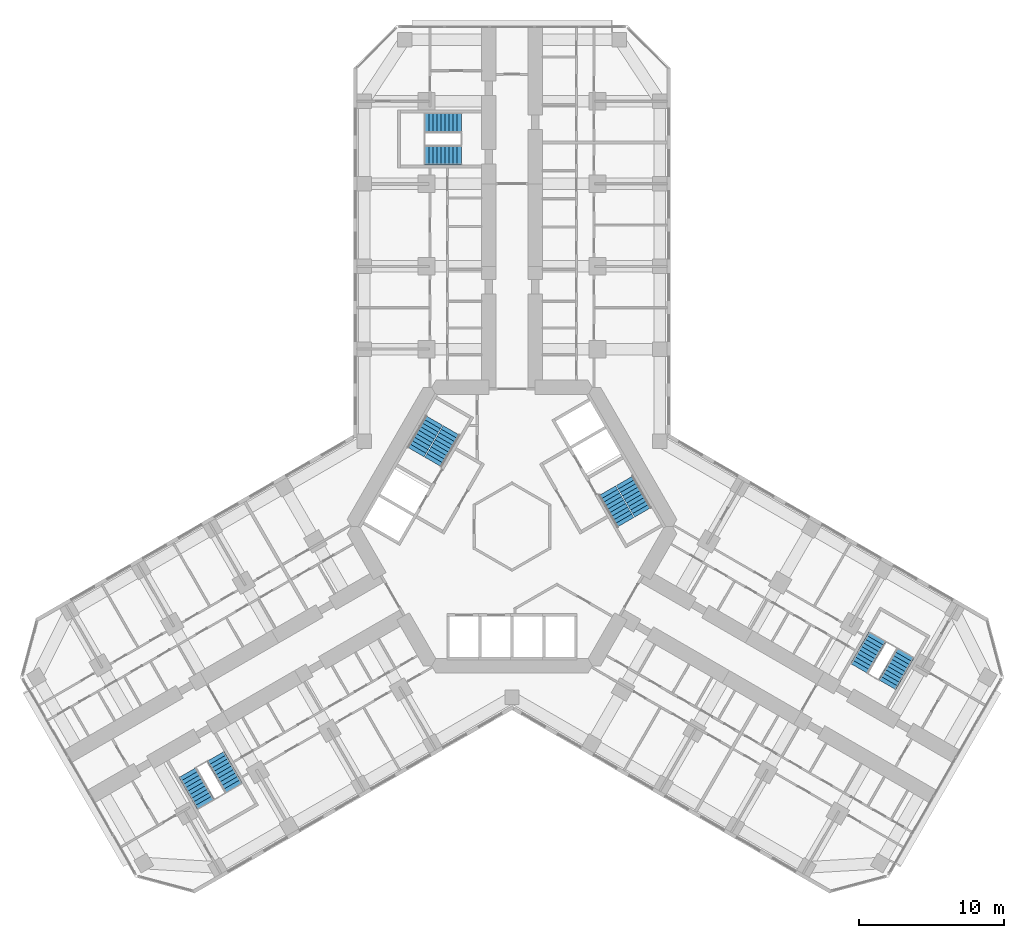
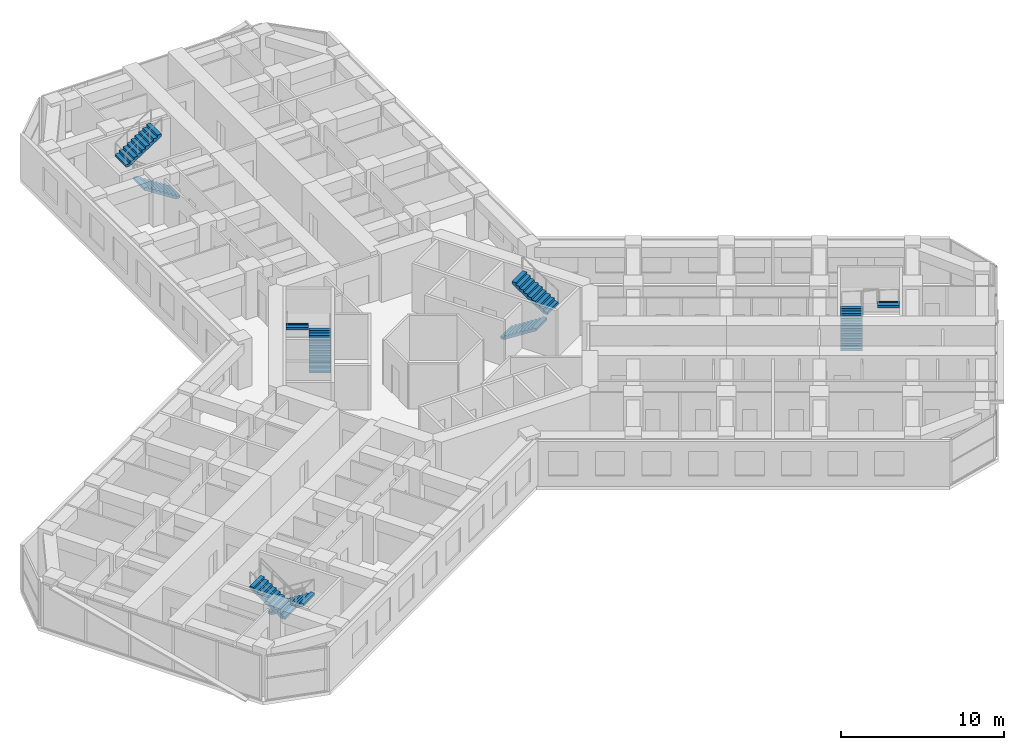
# One storey, part 20 of 21: 10 stair flights, 5 elements without a shape of their own.
"""IFC4 building model written with IfcOpenShell, lengths in metres."""

from ifc_helpers import new_model, si_unit, direction, frame, origin, place, context, subcontext, project, spatial, polyline, outline, extrude, material, type_object, element, aggregate, save


model = new_model("IFC4")

# Units and contexts
model_context = context("Model", 3, precision=1e-05, world=origin(), true_north=direction((0.0, 1.0)))
body_context = subcontext(model_context, "Body", "Model", "MODEL_VIEW")
ifc_project = project(units=[si_unit("LENGTHUNIT", "METRE"), si_unit("AREAUNIT", "SQUARE_METRE"), si_unit("VOLUMEUNIT", "CUBIC_METRE"), si_unit("PLANEANGLEUNIT", "RADIAN"), si_unit("MASSUNIT", "GRAM", prefix="KILO")], contexts=[model_context])

# Site, building, storey
site_placement = place(None, origin())
site = spatial("IfcSite", under=ifc_project, at=site_placement, CompositionType="ELEMENT")
building_placement = place(site_placement, origin())
building = spatial("IfcBuilding", under=site, at=building_placement, Name="Kosmar Iwan School Tower", CompositionType="ELEMENT")
storey_placement = place(building_placement, frame((0.0, 0.0, 50.199951171875)))
storey = spatial("IfcBuildingStorey", under=building, at=storey_placement, Name="L11", CompositionType="ELEMENT", Elevation=50.199951171875)

# Stair, stair flights
ifc_material_1 = material(Name="Concrete C35/45", Category="concrete")
stair_type_1 = type_object("IfcStairType", Name="Escape stair 3600", PredefinedType="HALF_TURN_STAIR", material=ifc_material_1)
stair_1_placement = place(storey_placement, origin())
stair_1 = element("IfcStair", 1, at=stair_1_placement, inside=storey, type_object=stair_type_1, Name="Stair WS1 L11", PredefinedType="HALF_TURN_STAIR")
ifc_material_2 = material(Name="Concrete C35/45", Category="concrete")
stair_flight_type_1 = type_object("IfcStairFlightType", Name="Escape stair flight 1350", PredefinedType="STRAIGHT", material=ifc_material_2)
stair_flight_1_placement = place(storey_placement, frame((-3.5, 25.625, 0.0), z_axis=(0.0, 0.0, 1.0), x_axis=(-1.0, 0.0, 0.0)))
stair_flight_1 = element("IfcStairFlight", 2, at=stair_flight_1_placement, type_object=stair_flight_type_1, Name="WS1 flight 1", NumberOfRisers=10, NumberOfTreads=9, PredefinedType="STRAIGHT", RiserHeight=0.18, TreadLength=0.28, context=body_context, shape_type="SweptSolid", body=[
    extrude(outline(polyline([(0.0, 0.0), (0.0, 0.179931640625), (0.280029296875, 0.179931640625), (0.280029296875, 0.360107421875), (0.56005859375, 0.360107421875), (0.56005859375, 0.5400390625), (0.840087890625, 0.5400390625), (0.840087890625, 0.719970703125), (1.1201171875, 0.719970703125), (1.1201171875, 0.89990234375), (1.39990234375, 0.89990234375), (1.39990234375, 1.080078125), (1.679931640625, 1.080078125), (1.679931640625, 1.260009765625), (1.9599609375, 1.260009765625), (1.9599609375, 1.43994140625), (2.239990234375, 1.43994140625), (2.239990234375, 1.6201171875), (2.52001953125, 1.6201171875), (2.52001953125, 1.800048828125), (2.52001953125, 1.44189453125), (0.277099609375, 0.0), (0.0, 0.0)])), frame((0.0, 0.675048828125, 0.0), z_axis=(0.0, -1.0, 0.0), x_axis=(1.0, 0.0, 0.0)), (0.0, 0.0, 1.0), 1.35009765625),
])
stair_flight_2_placement = place(storey_placement, frame((-6.02001953125, 27.875, 1.800048828125), z_axis=(0.0, 0.0, 1.0), x_axis=(1.0, 0.0, 0.0)))
stair_flight_2 = element("IfcStairFlight", 3, at=stair_flight_2_placement, type_object=stair_flight_type_1, Name="WS1 flight 2", NumberOfRisers=10, NumberOfTreads=9, PredefinedType="STRAIGHT", RiserHeight=0.18, TreadLength=0.28, context=body_context, shape_type="SweptSolid", body=[
    extrude(outline(polyline([(0.0, 0.0), (0.0, 0.179931640625), (0.280029296875, 0.179931640625), (0.280029296875, 0.360107421875), (0.56005859375, 0.360107421875), (0.56005859375, 0.5400390625), (0.840087890625, 0.5400390625), (0.840087890625, 0.719970703125), (1.1201171875, 0.719970703125), (1.1201171875, 0.89990234375), (1.39990234375, 0.89990234375), (1.39990234375, 1.080078125), (1.679931640625, 1.080078125), (1.679931640625, 1.260009765625), (1.9599609375, 1.260009765625), (1.9599609375, 1.43994140625), (2.239990234375, 1.43994140625), (2.239990234375, 1.6201171875), (2.52001953125, 1.6201171875), (2.52001953125, 1.800048828125), (2.52001953125, 1.44189453125), (0.277099609375, 0.0), (0.0, 0.0)])), frame((0.0, 0.675048828125, 0.0), z_axis=(0.0, -1.0, 0.0), x_axis=(1.0, 0.0, 0.0)), (0.0, 0.0, 1.0), 1.35009765625),
])
aggregate(stair_1, [stair_flight_1, stair_flight_2])

stair_2_placement = place(storey_placement, origin())
stair_2 = element("IfcStair", 4, at=stair_2_placement, inside=storey, type_object=stair_type_1, Name="Stair WS2 L11", PredefinedType="HALF_TURN_STAIR")
stair_flight_3_placement = place(storey_placement, frame((-20.44189453125, -15.843505859375, 0.0), z_axis=(0.0, 0.0, 1.0), x_axis=(0.5, -0.866025403784, 0.0)))
stair_flight_3 = element("IfcStairFlight", 5, at=stair_flight_3_placement, type_object=stair_flight_type_1, Name="WS2 flight 1", NumberOfRisers=10, NumberOfTreads=9, PredefinedType="STRAIGHT", RiserHeight=0.18, TreadLength=0.28, context=body_context, shape_type="SweptSolid", body=[
    extrude(outline(polyline([(0.0, 0.0), (0.0, 0.179931640625), (0.280029296875, 0.179931640625), (0.280029296875, 0.360107421875), (0.56005859375, 0.360107421875), (0.56005859375, 0.5400390625), (0.840087890625, 0.5400390625), (0.840087890625, 0.719970703125), (1.1201171875, 0.719970703125), (1.1201171875, 0.89990234375), (1.39990234375, 0.89990234375), (1.39990234375, 1.080078125), (1.679931640625, 1.080078125), (1.679931640625, 1.260009765625), (1.9599609375, 1.260009765625), (1.9599609375, 1.43994140625), (2.239990234375, 1.43994140625), (2.239990234375, 1.6201171875), (2.52001953125, 1.6201171875), (2.52001953125, 1.800048828125), (2.52001953125, 1.44189453125), (0.277099609375, 0.0), (0.0, 0.0)])), frame((0.0, 0.675048828125, 0.0), z_axis=(0.0, -1.0, 0.0), x_axis=(1.0, 0.0, 0.0)), (0.0, 0.0, 1.0), 1.35009765625),
])
stair_flight_4_placement = place(storey_placement, frame((-21.13037109375, -19.15087890625, 1.800048828125), z_axis=(0.0, 0.0, 1.0), x_axis=(-0.5, 0.866025403784, 0.0)))
stair_flight_4 = element("IfcStairFlight", 6, at=stair_flight_4_placement, type_object=stair_flight_type_1, Name="WS2 flight 2", NumberOfRisers=10, NumberOfTreads=9, PredefinedType="STRAIGHT", RiserHeight=0.18, TreadLength=0.28, context=body_context, shape_type="SweptSolid", body=[
    extrude(outline(polyline([(0.0, 0.0), (0.0, 0.179931640625), (0.280029296875, 0.179931640625), (0.280029296875, 0.360107421875), (0.56005859375, 0.360107421875), (0.56005859375, 0.5400390625), (0.840087890625, 0.5400390625), (0.840087890625, 0.719970703125), (1.1201171875, 0.719970703125), (1.1201171875, 0.89990234375), (1.39990234375, 0.89990234375), (1.39990234375, 1.080078125), (1.679931640625, 1.080078125), (1.679931640625, 1.260009765625), (1.9599609375, 1.260009765625), (1.9599609375, 1.43994140625), (2.239990234375, 1.43994140625), (2.239990234375, 1.6201171875), (2.52001953125, 1.6201171875), (2.52001953125, 1.800048828125), (2.52001953125, 1.44189453125), (0.277099609375, 0.0), (0.0, 0.0)])), frame((0.0, 0.675048828125, 0.0), z_axis=(0.0, -1.0, 0.0), x_axis=(1.0, 0.0, 0.0)), (0.0, 0.0, 1.0), 1.35009765625),
])
aggregate(stair_2, [stair_flight_3, stair_flight_4])

stair_3_placement = place(storey_placement, origin())
stair_3 = element("IfcStair", 7, at=stair_3_placement, inside=storey, type_object=stair_type_1, Name="Stair WS3 L11", PredefinedType="HALF_TURN_STAIR")
stair_flight_5_placement = place(storey_placement, frame((23.94189453125, -9.781494140625, 0.0), z_axis=(0.0, 0.0, 1.0), x_axis=(0.5, 0.866025403784, 0.0)))
stair_flight_5 = element("IfcStairFlight", 8, at=stair_flight_5_placement, type_object=stair_flight_type_1, Name="WS3 flight 1", NumberOfRisers=10, NumberOfTreads=9, PredefinedType="STRAIGHT", RiserHeight=0.18, TreadLength=0.28, context=body_context, shape_type="SweptSolid", body=[
    extrude(outline(polyline([(0.0, 0.0), (0.0, 0.179931640625), (0.280029296875, 0.179931640625), (0.280029296875, 0.360107421875), (0.56005859375, 0.360107421875), (0.56005859375, 0.5400390625), (0.840087890625, 0.5400390625), (0.840087890625, 0.719970703125), (1.1201171875, 0.719970703125), (1.1201171875, 0.89990234375), (1.39990234375, 0.89990234375), (1.39990234375, 1.080078125), (1.679931640625, 1.080078125), (1.679931640625, 1.260009765625), (1.9599609375, 1.260009765625), (1.9599609375, 1.43994140625), (2.239990234375, 1.43994140625), (2.239990234375, 1.6201171875), (2.52001953125, 1.6201171875), (2.52001953125, 1.800048828125), (2.52001953125, 1.44189453125), (0.277099609375, 0.0), (0.0, 0.0)])), frame((0.0, 0.675048828125, 0.0), z_axis=(0.0, -1.0, 0.0), x_axis=(1.0, 0.0, 0.0)), (0.0, 0.0, 1.0), 1.35009765625),
])
stair_flight_6_placement = place(storey_placement, frame((27.150390625, -8.72412109375, 1.800048828125), z_axis=(0.0, 0.0, 1.0), x_axis=(-0.5, -0.866025403784, 0.0)))
stair_flight_6 = element("IfcStairFlight", 9, at=stair_flight_6_placement, type_object=stair_flight_type_1, Name="WS3 flight 2", NumberOfRisers=10, NumberOfTreads=9, PredefinedType="STRAIGHT", RiserHeight=0.18, TreadLength=0.28, context=body_context, shape_type="SweptSolid", body=[
    extrude(outline(polyline([(0.0, 0.0), (0.0, 0.179931640625), (0.280029296875, 0.179931640625), (0.280029296875, 0.360107421875), (0.56005859375, 0.360107421875), (0.56005859375, 0.5400390625), (0.840087890625, 0.5400390625), (0.840087890625, 0.719970703125), (1.1201171875, 0.719970703125), (1.1201171875, 0.89990234375), (1.39990234375, 0.89990234375), (1.39990234375, 1.080078125), (1.679931640625, 1.080078125), (1.679931640625, 1.260009765625), (1.9599609375, 1.260009765625), (1.9599609375, 1.43994140625), (2.239990234375, 1.43994140625), (2.239990234375, 1.6201171875), (2.52001953125, 1.6201171875), (2.52001953125, 1.800048828125), (2.52001953125, 1.44189453125), (0.277099609375, 0.0), (0.0, 0.0)])), frame((0.0, 0.675048828125, 0.0), z_axis=(0.0, -1.0, 0.0), x_axis=(1.0, 0.0, 0.0)), (0.0, 0.0, 1.0), 1.35009765625),
])
aggregate(stair_3, [stair_flight_5, stair_flight_6])

ifc_material_3 = material(Name="Concrete C35/45", Category="concrete")
stair_type_2 = type_object("IfcStairType", Name="Core stair 2750", PredefinedType="HALF_TURN_STAIR", material=ifc_material_3)
stair_4_placement = place(storey_placement, origin())
stair_4 = element("IfcStair", 10, at=stair_4_placement, inside=storey, type_object=stair_type_2, Name="Stair ST2 L11", PredefinedType="HALF_TURN_STAIR")
ifc_material_4 = material(Name="Concrete C35/45", Category="concrete")
stair_flight_type_2 = type_object("IfcStairFlightType", Name="Stair flight 1350", PredefinedType="STRAIGHT", material=ifc_material_4)
stair_flight_7_placement = place(storey_placement, frame((-5.42724609375, 4.44970703125, 0.0), z_axis=(0.0, 0.0, 1.0), x_axis=(0.5, 0.866025403784, 0.0)))
stair_flight_7 = element("IfcStairFlight", 11, at=stair_flight_7_placement, type_object=stair_flight_type_2, Name="ST2 flight 1", NumberOfRisers=10, NumberOfTreads=9, PredefinedType="STRAIGHT", RiserHeight=0.18, TreadLength=0.28, context=body_context, shape_type="SweptSolid", body=[
    extrude(outline(polyline([(0.0, 0.0), (0.0, 0.179931640625), (0.280029296875, 0.179931640625), (0.280029296875, 0.360107421875), (0.56005859375, 0.360107421875), (0.56005859375, 0.5400390625), (0.840087890625, 0.5400390625), (0.840087890625, 0.719970703125), (1.1201171875, 0.719970703125), (1.1201171875, 0.89990234375), (1.39990234375, 0.89990234375), (1.39990234375, 1.080078125), (1.679931640625, 1.080078125), (1.679931640625, 1.260009765625), (1.9599609375, 1.260009765625), (1.9599609375, 1.43994140625), (2.239990234375, 1.43994140625), (2.239990234375, 1.6201171875), (2.52001953125, 1.6201171875), (2.52001953125, 1.800048828125), (2.52001953125, 1.44189453125), (0.277099609375, 0.0), (0.0, 0.0)])), frame((0.0, 0.675048828125, 0.0), z_axis=(0.0, -1.0, 0.0), x_axis=(1.0, 0.0, 0.0)), (0.0, 0.0, 1.0), 1.35009765625),
])
stair_flight_8_placement = place(storey_placement, frame((-5.379638671875, 7.33203125, 1.800048828125), z_axis=(0.0, 0.0, 1.0), x_axis=(-0.5, -0.866025403784, 0.0)))
stair_flight_8 = element("IfcStairFlight", 12, at=stair_flight_8_placement, type_object=stair_flight_type_2, Name="ST2 flight 2", NumberOfRisers=10, NumberOfTreads=9, PredefinedType="STRAIGHT", RiserHeight=0.18, TreadLength=0.28, context=body_context, shape_type="SweptSolid", body=[
    extrude(outline(polyline([(0.0, 0.0), (0.0, 0.179931640625), (0.280029296875, 0.179931640625), (0.280029296875, 0.360107421875), (0.56005859375, 0.360107421875), (0.56005859375, 0.5400390625), (0.840087890625, 0.5400390625), (0.840087890625, 0.719970703125), (1.1201171875, 0.719970703125), (1.1201171875, 0.89990234375), (1.39990234375, 0.89990234375), (1.39990234375, 1.080078125), (1.679931640625, 1.080078125), (1.679931640625, 1.260009765625), (1.9599609375, 1.260009765625), (1.9599609375, 1.43994140625), (2.239990234375, 1.43994140625), (2.239990234375, 1.6201171875), (2.52001953125, 1.6201171875), (2.52001953125, 1.800048828125), (2.52001953125, 1.44189453125), (0.277099609375, 0.0), (0.0, 0.0)])), frame((0.0, 0.675048828125, 0.0), z_axis=(0.0, -1.0, 0.0), x_axis=(1.0, 0.0, 0.0)), (0.0, 0.0, 1.0), 1.35009765625),
])
aggregate(stair_4, [stair_flight_7, stair_flight_8])

stair_5_placement = place(storey_placement, origin())
stair_5 = element("IfcStair", 13, at=stair_5_placement, inside=storey, type_object=stair_type_2, Name="Stair ST1 L11", PredefinedType="HALF_TURN_STAIR")
stair_flight_9_placement = place(storey_placement, frame((6.567138671875, 2.475341796875, 0.0), z_axis=(0.0, 0.0, 1.0), x_axis=(0.5, -0.866025403784, 0.0)))
stair_flight_9 = element("IfcStairFlight", 14, at=stair_flight_9_placement, type_object=stair_flight_type_2, Name="ST1 flight 1", NumberOfRisers=10, NumberOfTreads=9, PredefinedType="STRAIGHT", RiserHeight=0.18, TreadLength=0.28, context=body_context, shape_type="SweptSolid", body=[
    extrude(outline(polyline([(0.0, 0.0), (0.0, 0.179931640625), (0.280029296875, 0.179931640625), (0.280029296875, 0.360107421875), (0.56005859375, 0.360107421875), (0.56005859375, 0.5400390625), (0.840087890625, 0.5400390625), (0.840087890625, 0.719970703125), (1.1201171875, 0.719970703125), (1.1201171875, 0.89990234375), (1.39990234375, 0.89990234375), (1.39990234375, 1.080078125), (1.679931640625, 1.080078125), (1.679931640625, 1.260009765625), (1.9599609375, 1.260009765625), (1.9599609375, 1.43994140625), (2.239990234375, 1.43994140625), (2.239990234375, 1.6201171875), (2.52001953125, 1.6201171875), (2.52001953125, 1.800048828125), (2.52001953125, 1.44189453125), (0.277099609375, 0.0), (0.0, 0.0)])), frame((0.0, 0.675048828125, 0.0), z_axis=(0.0, -1.0, 0.0), x_axis=(1.0, 0.0, 0.0)), (0.0, 0.0, 1.0), 1.35009765625),
])
stair_flight_10_placement = place(storey_placement, frame((9.03955078125, 0.992919921875, 1.800048828125), z_axis=(0.0, 0.0, 1.0), x_axis=(-0.5, 0.866025403784, 0.0)))
stair_flight_10 = element("IfcStairFlight", 15, at=stair_flight_10_placement, type_object=stair_flight_type_2, Name="ST1 flight 2", NumberOfRisers=10, NumberOfTreads=9, PredefinedType="STRAIGHT", RiserHeight=0.18, TreadLength=0.28, context=body_context, shape_type="SweptSolid", body=[
    extrude(outline(polyline([(0.0, 0.0), (0.0, 0.179931640625), (0.280029296875, 0.179931640625), (0.280029296875, 0.360107421875), (0.56005859375, 0.360107421875), (0.56005859375, 0.5400390625), (0.840087890625, 0.5400390625), (0.840087890625, 0.719970703125), (1.1201171875, 0.719970703125), (1.1201171875, 0.89990234375), (1.39990234375, 0.89990234375), (1.39990234375, 1.080078125), (1.679931640625, 1.080078125), (1.679931640625, 1.260009765625), (1.9599609375, 1.260009765625), (1.9599609375, 1.43994140625), (2.239990234375, 1.43994140625), (2.239990234375, 1.6201171875), (2.52001953125, 1.6201171875), (2.52001953125, 1.800048828125), (2.52001953125, 1.44189453125), (0.277099609375, 0.0), (0.0, 0.0)])), frame((0.0, 0.675048828125, 0.0), z_axis=(0.0, -1.0, 0.0), x_axis=(1.0, 0.0, 0.0)), (0.0, 0.0, 1.0), 1.35009765625),
])
aggregate(stair_5, [stair_flight_9, stair_flight_10])

save(model, "model.ifc")
